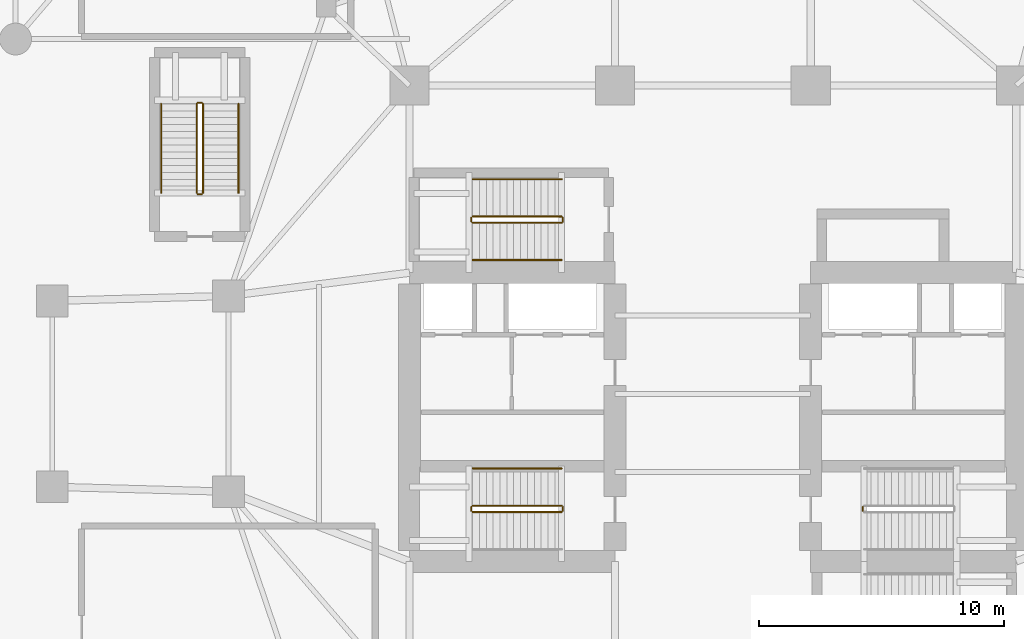
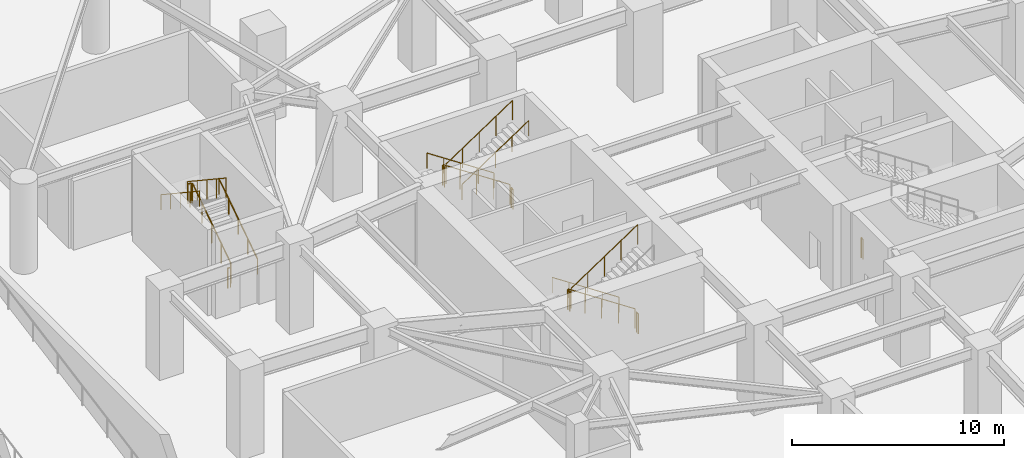
# One storey, part 10 of 12: 18 railings.
"""IFC4 building model written with IfcOpenShell, lengths in metres."""

import ifcopenshell
import ifcopenshell.guid

model = None  # the IFC model being written
_history = None  # IfcOwnerHistory: only IFC2X3 demands one
_inside = {}  # id of a spatial element -> (the spatial element, [elements in it])
_under = {}  # id of a project, library or spatial element -> (it, [spatial elements below it])
_declared = {}  # id of a project -> (the project, [libraries it declares])
_typed = {}  # id of a type object -> (the type object, [elements of that type])
_made_of = {}  # id of a material, layer set ... -> (it, [elements and type objects made of it])


def new_model(schema):
    """Start an empty IFC model of exactly this schema.

    Asked for "IFC4X3", IfcOpenShell would pick the latest addendum, in which some entities
    have other attributes; the version numbers below select the first issue.
    IFC2X3 requires an IfcOwnerHistory on every rooted entity: one is made here for all.
    """
    global model, _history
    if schema == "IFC4X3":
        model = ifcopenshell.file(schema_version=(4, 3, 0, 0))
    else:
        model = ifcopenshell.file(schema=schema)
    _inside.clear()
    _under.clear()
    _declared.clear()
    _typed.clear()
    _made_of.clear()
    _history = None
    if model.schema == "IFC2X3":
        org = make("IfcOrganization", Name="unknown")
        user = make(
            "IfcPersonAndOrganization",
            ThePerson=make("IfcPerson", FamilyName="unknown"),
            TheOrganization=org,
        )
        app = make(
            "IfcApplication",
            ApplicationDeveloper=org,
            Version="unknown",
            ApplicationFullName="unknown",
            ApplicationIdentifier="unknown",
        )
        _history = make(
            "IfcOwnerHistory",
            OwningUser=user,
            OwningApplication=app,
            ChangeAction="ADDED",
            CreationDate=0,
        )
    return model


def make(cls, **values):
    """One entity of the class cls with the attributes given. An attribute that is None is left unset."""
    return model.create_entity(
        cls, **{name: value for name, value in values.items() if value is not None}
    )


def rooted(cls, **values):
    """An entity with a GlobalId (a new one), such as an element, a storey or a relation."""
    return make(cls, GlobalId=ifcopenshell.guid.new(), OwnerHistory=_history, **values)


def si_unit(unit_type, name, prefix=None):
    """IfcSIUnit, for example si_unit("LENGTHUNIT", "METRE", prefix="MILLI")."""
    return make("IfcSIUnit", UnitType=unit_type, Prefix=prefix, Name=name)


def assignment(units):
    """IfcUnitAssignment: the units of a project."""
    return None if units is None else make("IfcUnitAssignment", Units=units)


def point(xyz):
    """IfcCartesianPoint."""
    return None if xyz is None else make("IfcCartesianPoint", Coordinates=xyz)


def direction(xyz):
    """IfcDirection."""
    return None if xyz is None else make("IfcDirection", DirectionRatios=xyz)


def frame(location, z_axis=None, x_axis=None):
    """IfcAxis2Placement3D, a coordinate frame: its origin and axes. An axis left out is left unset."""
    return make(
        "IfcAxis2Placement3D",
        Location=point(location),
        Axis=direction(z_axis),
        RefDirection=direction(x_axis),
    )


def frame_2d(location, x_axis=None):
    """IfcAxis2Placement2D, a coordinate frame in the plane: its origin and x axis."""
    return make(
        "IfcAxis2Placement2D", Location=point(location), RefDirection=direction(x_axis)
    )


def origin():
    """The frame at (0, 0, 0) with its axes left unset."""
    return frame((0.0, 0.0, 0.0))


def origin_2d():
    """The frame at (0, 0) in the plane with its x axis left unset."""
    return frame_2d((0.0, 0.0))


def place(relative_to, where):
    """IfcLocalPlacement: puts the frame where relative to a parent placement (None: the world)."""
    return make(
        "IfcLocalPlacement", PlacementRelTo=relative_to, RelativePlacement=where
    )


def context(
    kind, dimensions, precision=None, world=None, true_north=None, identifier=None
):
    """IfcGeometricRepresentationContext, for example the 3D "Model" context."""
    return make(
        "IfcGeometricRepresentationContext",
        ContextIdentifier=identifier,
        ContextType=kind,
        CoordinateSpaceDimension=dimensions,
        Precision=precision,
        WorldCoordinateSystem=world,
        TrueNorth=true_north,
    )


def subcontext(parent, identifier, kind, view, scale=None):
    """IfcGeometricRepresentationSubContext, for example "Body" below "Model"."""
    return make(
        "IfcGeometricRepresentationSubContext",
        ContextIdentifier=identifier,
        ContextType=kind,
        ParentContext=parent,
        TargetScale=scale,
        TargetView=view,
    )


def project(units=None, contexts=None):
    """IfcProject with its units and contexts."""
    return rooted(
        "IfcProject",
        Name="project",
        RepresentationContexts=contexts,
        UnitsInContext=assignment(units),
    )


def spatial(cls, under=None, at=None, **own):
    """A site, building, storey or space (cls), placed at a placement, below another one or the project."""
    s = rooted(cls, ObjectPlacement=at, **own)
    if under is not None:
        _under.setdefault(under.id(), (under, []))[1].append(s)
    return s


def profile(cls, at=None, kind="AREA", **sizes):
    """A parametric profile (cls). Its sizes go by their IFC names, for example OverallWidth=200.0."""
    return make(cls, ProfileType=kind, Position=at, **sizes)


def circle(**sizes):
    """IfcCircleProfileDef."""
    return profile("IfcCircleProfileDef", **sizes)


def extrude(swept, where, along, depth):
    """IfcExtrudedAreaSolid: the profile swept, set in the frame where, extruded along a direction by depth."""
    return make(
        "IfcExtrudedAreaSolid",
        SweptArea=swept,
        Position=where,
        ExtrudedDirection=direction(along),
        Depth=depth,
    )


def shape(context_of_items, identifier, shape_type, items):
    """IfcShapeRepresentation: the items that make up one representation, for example the "Body"."""
    return make(
        "IfcShapeRepresentation",
        ContextOfItems=context_of_items,
        RepresentationIdentifier=identifier,
        RepresentationType=shape_type,
        Items=items,
    )


def material(Name=None, Category=None):
    """IfcMaterial."""
    return make("IfcMaterial", Name=Name, Category=Category)


def made_of(thing, what):
    """Note that an element or type object is made of a material, layer set ...; save() writes the relation."""
    if what is not None:
        _made_of.setdefault(what.id(), (what, []))[1].append(thing)
    return thing


def type_object(cls, material=None, **own):
    """A type object (cls), such as IfcWallType, which elements share."""
    return made_of(rooted(cls, **own), material)


def element(
    cls,
    number,
    at=None,
    inside=None,
    cuts=None,
    type_object=None,
    material=None,
    context=None,
    identifier="Body",
    shape_type=None,
    held_by="IfcProductDefinitionShape",
    body=None,
    shapes=None,
    **own,
):
    """One element of the class cls, such as IfcWall. Its Tag is "e" and its number.

    at: its placement. inside: the storey or other place that contains it. cuts: it is an
    opening in that element (IfcRelVoidsElement). A single representation is given by context,
    identifier, shape_type and body (its items); several are given by shapes. held_by: the class
    of the entity that holds the representations. save() writes the other relations.
    """
    e = rooted(cls, Tag="e%d" % number, ObjectPlacement=at, **own)
    if body is not None:
        shapes = [shape(context, identifier, shape_type, body)]
    if shapes is not None:
        e.Representation = make(held_by, Representations=shapes)
    if inside is not None:
        _inside.setdefault(inside.id(), (inside, []))[1].append(e)
    if cuts is not None:
        rooted(
            "IfcRelVoidsElement", RelatingBuildingElement=cuts, RelatedOpeningElement=e
        )
    if type_object is not None:
        _typed.setdefault(type_object.id(), (type_object, []))[1].append(e)
    return made_of(e, material)


def aggregate(whole, parts):
    """IfcRelAggregates: a whole, such as a stair, and the parts it consists of."""
    return rooted("IfcRelAggregates", RelatingObject=whole, RelatedObjects=parts)


def save(model, path):
    """Write the relations noted so far, then the file.

    IfcRelAggregates (storeys below a building ...), IfcRelContainedInSpatialStructure (elements
    in a storey), IfcRelDefinesByType, IfcRelAssociatesMaterial and IfcRelDeclares: one each for
    every whole, place, type object, material and project.
    """
    for whole, parts in _under.values():
        aggregate(whole, parts)
    for where, things in _inside.values():
        rooted(
            "IfcRelContainedInSpatialStructure",
            RelatedElements=things,
            RelatingStructure=where,
        )
    for kind, things in _typed.values():
        rooted("IfcRelDefinesByType", RelatedObjects=things, RelatingType=kind)
    for what, things in _made_of.values():
        rooted("IfcRelAssociatesMaterial", RelatedObjects=things, RelatingMaterial=what)
    for by, libraries in _declared.values():
        rooted("IfcRelDeclares", RelatingContext=by, RelatedDefinitions=libraries)
    model.write(path)


model = new_model("IFC4")

# Units and contexts
model_context = context("Model", 3, precision=1e-05, world=origin(), true_north=direction((0.0, 1.0)))
body_context = subcontext(model_context, "Body", "Model", "MODEL_VIEW")
ifc_project = project(units=[si_unit("LENGTHUNIT", "METRE"), si_unit("AREAUNIT", "SQUARE_METRE"), si_unit("VOLUMEUNIT", "CUBIC_METRE"), si_unit("PLANEANGLEUNIT", "RADIAN"), si_unit("MASSUNIT", "GRAM", prefix="KILO")], contexts=[model_context])

# Site, building, storey
site_placement = place(None, origin())
site = spatial("IfcSite", under=ifc_project, at=site_placement, CompositionType="ELEMENT")
building_placement = place(site_placement, origin())
building = spatial("IfcBuilding", under=site, at=building_placement, Name="Qingluan Cross Belvedere", CompositionType="ELEMENT")
storey_placement = place(building_placement, frame((0.0, 0.0, -5.199951171875)))
storey = spatial("IfcBuildingStorey", under=building, at=storey_placement, Name="B1", CompositionType="ELEMENT", Elevation=-5.199951171875)

# Railings
ifc_material_1 = material(Name="Brushed stainless steel tubular handrail", Category="steel")
railing_type_1 = type_object("IfcRailingType", Name="StairPitchHandrail_900", PredefinedType="HANDRAIL", material=ifc_material_1)
for number, where, name in (
    (1, (-6.179931640625, -3.050048828125, 0.185546875), "B1 ST1 stair handrail 1"),
    (2, (-6.179931640625, 8.77001953125, 0.185546875), "B1 ST3 stair handrail 1"),
):
    element("IfcRailing", number, at=place(storey_placement, frame(where)), inside=storey, type_object=railing_type_1, Name=name, PredefinedType="HANDRAIL", context=body_context, shape_type="SweptSolid", body=[
        extrude(circle(Radius=0.02392578125, at=origin_2d()), frame((0.0, 0.0, 0.8759765625), z_axis=(-0.833363587613, 0.0, 0.552725185641), x_axis=(0.0, -1.0, 0.0)), (0.0, 0.0, 1.0), 4.367919921875),
        extrude(circle(Radius=0.02099609375, at=origin_2d()), origin(), (0.0, 0.0, 1.0), 0.851806640625),
        extrude(circle(Radius=0.02099609375, at=origin_2d()), frame((-0.91015625, 0.0, 0.603515625)), (0.0, 0.0, 1.0), 0.851806640625),
        extrude(circle(Radius=0.02099609375, at=origin_2d()), frame((-1.820068359375, 0.0, 1.20703125)), (0.0, 0.0, 1.0), 0.851806640625),
        extrude(circle(Radius=0.02099609375, at=origin_2d()), frame((-2.72998046875, 0.0, 1.810791015625)), (0.0, 0.0, 1.0), 0.851806640625),
        extrude(circle(Radius=0.02099609375, at=origin_2d()), frame((-3.64013671875, 0.0, 2.414306640625)), (0.0, 0.0, 1.0), 0.851806640625),
    ])
railing_1_placement = place(storey_placement, frame((-9.820068359375, 5.469970703125, 2.78564453125)))
element("IfcRailing", 3, at=railing_1_placement, inside=storey, type_object=railing_type_1, Name="B1 ST3 stair handrail 2", PredefinedType="HANDRAIL", context=body_context, shape_type="SweptSolid", body=[
    extrude(circle(Radius=0.02392578125, at=origin_2d()), frame((0.0, 0.0, 0.8759765625), z_axis=(0.833363587613, 0.0, 0.552725185641), x_axis=(0.0, 1.0, 0.0)), (0.0, 0.0, 1.0), 4.367919921875),
    extrude(circle(Radius=0.02099609375, at=origin_2d()), origin(), (0.0, 0.0, 1.0), 0.851806640625),
    extrude(circle(Radius=0.02099609375, at=origin_2d()), frame((0.91015625, 0.0, 0.603515625)), (0.0, 0.0, 1.0), 0.851806640625),
    extrude(circle(Radius=0.02099609375, at=origin_2d()), frame((1.820068359375, 0.0, 1.20703125)), (0.0, 0.0, 1.0), 0.851806640625),
    extrude(circle(Radius=0.02099609375, at=origin_2d()), frame((2.72998046875, 0.0, 1.810791015625)), (0.0, 0.0, 1.0), 0.851806640625),
    extrude(circle(Radius=0.02099609375, at=origin_2d()), frame((3.64013671875, 0.0, 2.414306640625)), (0.0, 0.0, 1.0), 0.851806640625),
])
railing_2_placement = place(storey_placement, frame((-19.389892578125, 8.2099609375, 0.185546875)))
element("IfcRailing", 4, at=railing_2_placement, inside=storey, type_object=railing_type_1, Name="B1 ST5 stair handrail 1", PredefinedType="HANDRAIL", context=body_context, shape_type="SweptSolid", body=[
    extrude(circle(Radius=0.02392578125, at=origin_2d()), frame((0.0, 0.0, 0.8759765625), z_axis=(0.0, 0.833363587613, 0.552725185641), x_axis=(-1.0, 0.0, 0.0)), (0.0, 0.0, 1.0), 4.367919921875),
    extrude(circle(Radius=0.02099609375, at=origin_2d()), origin(), (0.0, 0.0, 1.0), 0.851806640625),
    extrude(circle(Radius=0.02099609375, at=origin_2d()), frame((0.0, 0.91015625, 0.603515625)), (0.0, 0.0, 1.0), 0.851806640625),
    extrude(circle(Radius=0.02099609375, at=origin_2d()), frame((0.0, 1.820068359375, 1.20703125)), (0.0, 0.0, 1.0), 0.851806640625),
    extrude(circle(Radius=0.02099609375, at=origin_2d()), frame((0.0, 2.72998046875, 1.810791015625)), (0.0, 0.0, 1.0), 0.851806640625),
    extrude(circle(Radius=0.02099609375, at=origin_2d()), frame((0.0, 3.64013671875, 2.414306640625)), (0.0, 0.0, 1.0), 0.851806640625),
])
railing_3_placement = place(storey_placement, frame((-22.550048828125, 11.85009765625, 2.78564453125)))
element("IfcRailing", 5, at=railing_3_placement, inside=storey, type_object=railing_type_1, Name="B1 ST5 stair handrail 2", PredefinedType="HANDRAIL", context=body_context, shape_type="SweptSolid", body=[
    extrude(circle(Radius=0.02392578125, at=origin_2d()), frame((0.0, 0.0, 0.8759765625), z_axis=(0.0, -0.833363587613, 0.552725185641), x_axis=(1.0, 0.0, 0.0)), (0.0, 0.0, 1.0), 4.367919921875),
    extrude(circle(Radius=0.02099609375, at=origin_2d()), origin(), (0.0, 0.0, 1.0), 0.851806640625),
    extrude(circle(Radius=0.02099609375, at=origin_2d()), frame((0.0, -0.91015625, 0.603515625)), (0.0, 0.0, 1.0), 0.851806640625),
    extrude(circle(Radius=0.02099609375, at=origin_2d()), frame((0.0, -1.820068359375, 1.20703125)), (0.0, 0.0, 1.0), 0.851806640625),
    extrude(circle(Radius=0.02099609375, at=origin_2d()), frame((0.0, -2.72998046875, 1.810791015625)), (0.0, 0.0, 1.0), 0.851806640625),
    extrude(circle(Radius=0.02099609375, at=origin_2d()), frame((0.0, -3.64013671875, 2.414306640625)), (0.0, 0.0, 1.0), 0.851806640625),
])
ifc_material_2 = material(Name="Painted steel stair well guard", Category="steel")
railing_type_2 = type_object("IfcRailingType", Name="StairWellGuard_1150", PredefinedType="BALUSTRADE", material=ifc_material_2)
railing_4_placement = place(storey_placement, frame((-6.179931640625, -4.570068359375, 0.185546875)))
element("IfcRailing", 6, at=railing_4_placement, inside=storey, type_object=railing_type_2, Name="B1 ST1 stair guard 1", PredefinedType="BALUSTRADE", context=body_context, shape_type="SweptSolid", body=[
    extrude(circle(Radius=0.02392578125, at=origin_2d()), frame((0.0, 0.0, 1.1259765625), z_axis=(-0.833363587613, 0.0, 0.552725185641), x_axis=(0.0, -1.0, 0.0)), (0.0, 0.0, 1.0), 4.367919921875),
    extrude(circle(Radius=0.02099609375, at=origin_2d()), origin(), (0.0, 0.0, 1.0), 1.101806640625),
    extrude(circle(Radius=0.02099609375, at=origin_2d()), frame((-0.91015625, 0.0, 0.603515625)), (0.0, 0.0, 1.0), 1.101806640625),
    extrude(circle(Radius=0.02099609375, at=origin_2d()), frame((-1.820068359375, 0.0, 1.20703125)), (0.0, 0.0, 1.0), 1.101806640625),
    extrude(circle(Radius=0.02099609375, at=origin_2d()), frame((-2.72998046875, 0.0, 1.810791015625)), (0.0, 0.0, 1.0), 1.101806640625),
    extrude(circle(Radius=0.02099609375, at=origin_2d()), frame((-3.64013671875, 0.0, 2.414306640625)), (0.0, 0.0, 1.0), 1.101806640625),
])
railing_5_placement = place(storey_placement, frame((-9.8701171875, -4.6201171875, 2.599853515625)))
element("IfcRailing", 7, at=railing_5_placement, inside=storey, type_object=railing_type_2, Name="B1 ST1 stair guard 2", PredefinedType="BALUSTRADE", context=body_context, shape_type="SweptSolid", body=[
    extrude(circle(Radius=0.02392578125, at=origin_2d()), frame((0.0, 0.0, 1.1259765625), z_axis=(0.0, -1.0, 0.0), x_axis=(1.0, 0.0, 0.0)), (0.0, 0.0, 1.0), 0.159912109375),
    extrude(circle(Radius=0.02099609375, at=origin_2d()), origin(), (0.0, 0.0, 1.0), 1.101806640625),
    extrude(circle(Radius=0.02099609375, at=origin_2d()), frame((0.0, -0.159912109375, 0.0)), (0.0, 0.0, 1.0), 1.101806640625),
])
railing_6_placement = place(storey_placement, frame((-9.820068359375, -4.830078125, 2.78564453125)))
element("IfcRailing", 8, at=railing_6_placement, inside=storey, type_object=railing_type_2, Name="B1 ST1 stair guard 3", PredefinedType="BALUSTRADE", context=body_context, shape_type="SweptSolid", body=[
    extrude(circle(Radius=0.02392578125, at=origin_2d()), frame((0.0, 0.0, 1.1259765625), z_axis=(0.833363587613, 0.0, 0.552725185641), x_axis=(0.0, 1.0, 0.0)), (0.0, 0.0, 1.0), 4.367919921875),
    extrude(circle(Radius=0.02099609375, at=origin_2d()), origin(), (0.0, 0.0, 1.0), 1.101806640625),
    extrude(circle(Radius=0.02099609375, at=origin_2d()), frame((0.91015625, 0.0, 0.603515625)), (0.0, 0.0, 1.0), 1.101806640625),
    extrude(circle(Radius=0.02099609375, at=origin_2d()), frame((1.820068359375, 0.0, 1.20703125)), (0.0, 0.0, 1.0), 1.101806640625),
    extrude(circle(Radius=0.02099609375, at=origin_2d()), frame((2.72998046875, 0.0, 1.810791015625)), (0.0, 0.0, 1.0), 1.101806640625),
    extrude(circle(Radius=0.02099609375, at=origin_2d()), frame((3.64013671875, 0.0, 2.414306640625)), (0.0, 0.0, 1.0), 1.101806640625),
])
railing_7_placement = place(storey_placement, frame((-6.1298828125, -4.6201171875, 0.0)))
element("IfcRailing", 9, at=railing_7_placement, inside=storey, type_object=railing_type_2, Name="B1 ST1 stair guard 4", PredefinedType="BALUSTRADE", context=body_context, shape_type="SweptSolid", body=[
    extrude(circle(Radius=0.02392578125, at=origin_2d()), frame((0.0, 0.0, 1.1259765625), z_axis=(0.0, -1.0, 0.0), x_axis=(1.0, 0.0, 0.0)), (0.0, 0.0, 1.0), 0.159912109375),
    extrude(circle(Radius=0.02099609375, at=origin_2d()), origin(), (0.0, 0.0, 1.0), 1.101806640625),
    extrude(circle(Radius=0.02099609375, at=origin_2d()), frame((0.0, -0.159912109375, 0.0)), (0.0, 0.0, 1.0), 1.101806640625),
])
railing_8_placement = place(storey_placement, frame((6.1298828125, -4.780029296875, 0.0)))
element("IfcRailing", 10, at=railing_8_placement, inside=storey, type_object=railing_type_2, Name="B1 ST2 stair guard 4", PredefinedType="BALUSTRADE", context=body_context, shape_type="SweptSolid", body=[
    extrude(circle(Radius=0.02392578125, at=origin_2d()), frame((0.0, 0.0, 1.1259765625), z_axis=(0.0, 1.0, 0.0), x_axis=(-1.0, 0.0, 0.0)), (0.0, 0.0, 1.0), 0.159912109375),
    extrude(circle(Radius=0.02099609375, at=origin_2d()), origin(), (0.0, 0.0, 1.0), 1.101806640625),
    extrude(circle(Radius=0.02099609375, at=origin_2d()), frame((0.0, 0.159912109375, 0.0)), (0.0, 0.0, 1.0), 1.101806640625),
])
railing_9_placement = place(storey_placement, frame((-6.179931640625, 7.25, 0.185546875)))
element("IfcRailing", 11, at=railing_9_placement, inside=storey, type_object=railing_type_2, Name="B1 ST3 stair guard 1", PredefinedType="BALUSTRADE", context=body_context, shape_type="SweptSolid", body=[
    extrude(circle(Radius=0.02392578125, at=origin_2d()), frame((0.0, 0.0, 1.1259765625), z_axis=(-0.833363587613, 0.0, 0.552725185641), x_axis=(0.0, -1.0, 0.0)), (0.0, 0.0, 1.0), 4.367919921875),
    extrude(circle(Radius=0.02099609375, at=origin_2d()), origin(), (0.0, 0.0, 1.0), 1.101806640625),
    extrude(circle(Radius=0.02099609375, at=origin_2d()), frame((-0.91015625, 0.0, 0.603515625)), (0.0, 0.0, 1.0), 1.101806640625),
    extrude(circle(Radius=0.02099609375, at=origin_2d()), frame((-1.820068359375, 0.0, 1.20703125)), (0.0, 0.0, 1.0), 1.101806640625),
    extrude(circle(Radius=0.02099609375, at=origin_2d()), frame((-2.72998046875, 0.0, 1.810791015625)), (0.0, 0.0, 1.0), 1.101806640625),
    extrude(circle(Radius=0.02099609375, at=origin_2d()), frame((-3.64013671875, 0.0, 2.414306640625)), (0.0, 0.0, 1.0), 1.101806640625),
])
railing_10_placement = place(storey_placement, frame((-9.8701171875, 7.199951171875, 2.599853515625)))
element("IfcRailing", 12, at=railing_10_placement, inside=storey, type_object=railing_type_2, Name="B1 ST3 stair guard 2", PredefinedType="BALUSTRADE", context=body_context, shape_type="SweptSolid", body=[
    extrude(circle(Radius=0.02392578125, at=origin_2d()), frame((0.0, 0.0, 1.1259765625), z_axis=(0.0, -1.0, 0.0), x_axis=(1.0, 0.0, 0.0)), (0.0, 0.0, 1.0), 0.159912109375),
    extrude(circle(Radius=0.02099609375, at=origin_2d()), origin(), (0.0, 0.0, 1.0), 1.101806640625),
    extrude(circle(Radius=0.02099609375, at=origin_2d()), frame((0.0, -0.159912109375, 0.0)), (0.0, 0.0, 1.0), 1.101806640625),
])
railing_11_placement = place(storey_placement, frame((-9.820068359375, 6.989990234375, 2.78564453125)))
element("IfcRailing", 13, at=railing_11_placement, inside=storey, type_object=railing_type_2, Name="B1 ST3 stair guard 3", PredefinedType="BALUSTRADE", context=body_context, shape_type="SweptSolid", body=[
    extrude(circle(Radius=0.02392578125, at=origin_2d()), frame((0.0, 0.0, 1.1259765625), z_axis=(0.833363587613, 0.0, 0.552725185641), x_axis=(0.0, 1.0, 0.0)), (0.0, 0.0, 1.0), 4.367919921875),
    extrude(circle(Radius=0.02099609375, at=origin_2d()), origin(), (0.0, 0.0, 1.0), 1.101806640625),
    extrude(circle(Radius=0.02099609375, at=origin_2d()), frame((0.91015625, 0.0, 0.603515625)), (0.0, 0.0, 1.0), 1.101806640625),
    extrude(circle(Radius=0.02099609375, at=origin_2d()), frame((1.820068359375, 0.0, 1.20703125)), (0.0, 0.0, 1.0), 1.101806640625),
    extrude(circle(Radius=0.02099609375, at=origin_2d()), frame((2.72998046875, 0.0, 1.810791015625)), (0.0, 0.0, 1.0), 1.101806640625),
    extrude(circle(Radius=0.02099609375, at=origin_2d()), frame((3.64013671875, 0.0, 2.414306640625)), (0.0, 0.0, 1.0), 1.101806640625),
])
railing_12_placement = place(storey_placement, frame((-6.1298828125, 7.199951171875, 0.0)))
element("IfcRailing", 14, at=railing_12_placement, inside=storey, type_object=railing_type_2, Name="B1 ST3 stair guard 4", PredefinedType="BALUSTRADE", context=body_context, shape_type="SweptSolid", body=[
    extrude(circle(Radius=0.02392578125, at=origin_2d()), frame((0.0, 0.0, 1.1259765625), z_axis=(0.0, -1.0, 0.0), x_axis=(1.0, 0.0, 0.0)), (0.0, 0.0, 1.0), 0.159912109375),
    extrude(circle(Radius=0.02099609375, at=origin_2d()), origin(), (0.0, 0.0, 1.0), 1.101806640625),
    extrude(circle(Radius=0.02099609375, at=origin_2d()), frame((0.0, -0.159912109375, 0.0)), (0.0, 0.0, 1.0), 1.101806640625),
])
railing_13_placement = place(storey_placement, frame((-20.840087890625, 8.2099609375, 0.185546875)))
element("IfcRailing", 15, at=railing_13_placement, inside=storey, type_object=railing_type_2, Name="B1 ST5 stair guard 1", PredefinedType="BALUSTRADE", context=body_context, shape_type="SweptSolid", body=[
    extrude(circle(Radius=0.02392578125, at=origin_2d()), frame((0.0, 0.0, 1.1259765625), z_axis=(0.0, 0.833363587613, 0.552725185641), x_axis=(-1.0, 0.0, 0.0)), (0.0, 0.0, 1.0), 4.367919921875),
    extrude(circle(Radius=0.02099609375, at=origin_2d()), origin(), (0.0, 0.0, 1.0), 1.101806640625),
    extrude(circle(Radius=0.02099609375, at=origin_2d()), frame((0.0, 0.91015625, 0.603515625)), (0.0, 0.0, 1.0), 1.101806640625),
    extrude(circle(Radius=0.02099609375, at=origin_2d()), frame((0.0, 1.820068359375, 1.20703125)), (0.0, 0.0, 1.0), 1.101806640625),
    extrude(circle(Radius=0.02099609375, at=origin_2d()), frame((0.0, 2.72998046875, 1.810791015625)), (0.0, 0.0, 1.0), 1.101806640625),
    extrude(circle(Radius=0.02099609375, at=origin_2d()), frame((0.0, 3.64013671875, 2.414306640625)), (0.0, 0.0, 1.0), 1.101806640625),
])
railing_14_placement = place(storey_placement, frame((-20.889892578125, 11.89990234375, 2.599853515625)))
element("IfcRailing", 16, at=railing_14_placement, inside=storey, type_object=railing_type_2, Name="B1 ST5 stair guard 2", PredefinedType="BALUSTRADE", context=body_context, shape_type="SweptSolid", body=[
    extrude(circle(Radius=0.02392578125, at=origin_2d()), frame((0.0, 0.0, 1.1259765625), z_axis=(-1.0, 0.0, 0.0), x_axis=(0.0, -1.0, 0.0)), (0.0, 0.0, 1.0), 0.16015625),
    extrude(circle(Radius=0.02099609375, at=origin_2d()), origin(), (0.0, 0.0, 1.0), 1.101806640625),
    extrude(circle(Radius=0.02099609375, at=origin_2d()), frame((-0.16015625, 0.0, 0.0)), (0.0, 0.0, 1.0), 1.101806640625),
])
railing_15_placement = place(storey_placement, frame((-21.10009765625, 11.85009765625, 2.78564453125)))
element("IfcRailing", 17, at=railing_15_placement, inside=storey, type_object=railing_type_2, Name="B1 ST5 stair guard 3", PredefinedType="BALUSTRADE", context=body_context, shape_type="SweptSolid", body=[
    extrude(circle(Radius=0.02392578125, at=origin_2d()), frame((0.0, 0.0, 1.1259765625), z_axis=(0.0, -0.833363587613, 0.552725185641), x_axis=(1.0, 0.0, 0.0)), (0.0, 0.0, 1.0), 4.367919921875),
    extrude(circle(Radius=0.02099609375, at=origin_2d()), origin(), (0.0, 0.0, 1.0), 1.101806640625),
    extrude(circle(Radius=0.02099609375, at=origin_2d()), frame((0.0, -0.91015625, 0.603515625)), (0.0, 0.0, 1.0), 1.101806640625),
    extrude(circle(Radius=0.02099609375, at=origin_2d()), frame((0.0, -1.820068359375, 1.20703125)), (0.0, 0.0, 1.0), 1.101806640625),
    extrude(circle(Radius=0.02099609375, at=origin_2d()), frame((0.0, -2.72998046875, 1.810791015625)), (0.0, 0.0, 1.0), 1.101806640625),
    extrude(circle(Radius=0.02099609375, at=origin_2d()), frame((0.0, -3.64013671875, 2.414306640625)), (0.0, 0.0, 1.0), 1.101806640625),
])
railing_16_placement = place(storey_placement, frame((-20.889892578125, 8.159912109375, 0.0)))
element("IfcRailing", 18, at=railing_16_placement, inside=storey, type_object=railing_type_2, Name="B1 ST5 stair guard 4", PredefinedType="BALUSTRADE", context=body_context, shape_type="SweptSolid", body=[
    extrude(circle(Radius=0.02392578125, at=origin_2d()), frame((0.0, 0.0, 1.1259765625), z_axis=(-1.0, 0.0, 0.0), x_axis=(0.0, -1.0, 0.0)), (0.0, 0.0, 1.0), 0.16015625),
    extrude(circle(Radius=0.02099609375, at=origin_2d()), origin(), (0.0, 0.0, 1.0), 1.101806640625),
    extrude(circle(Radius=0.02099609375, at=origin_2d()), frame((-0.16015625, 0.0, 0.0)), (0.0, 0.0, 1.0), 1.101806640625),
])

save(model, "model.ifc")
